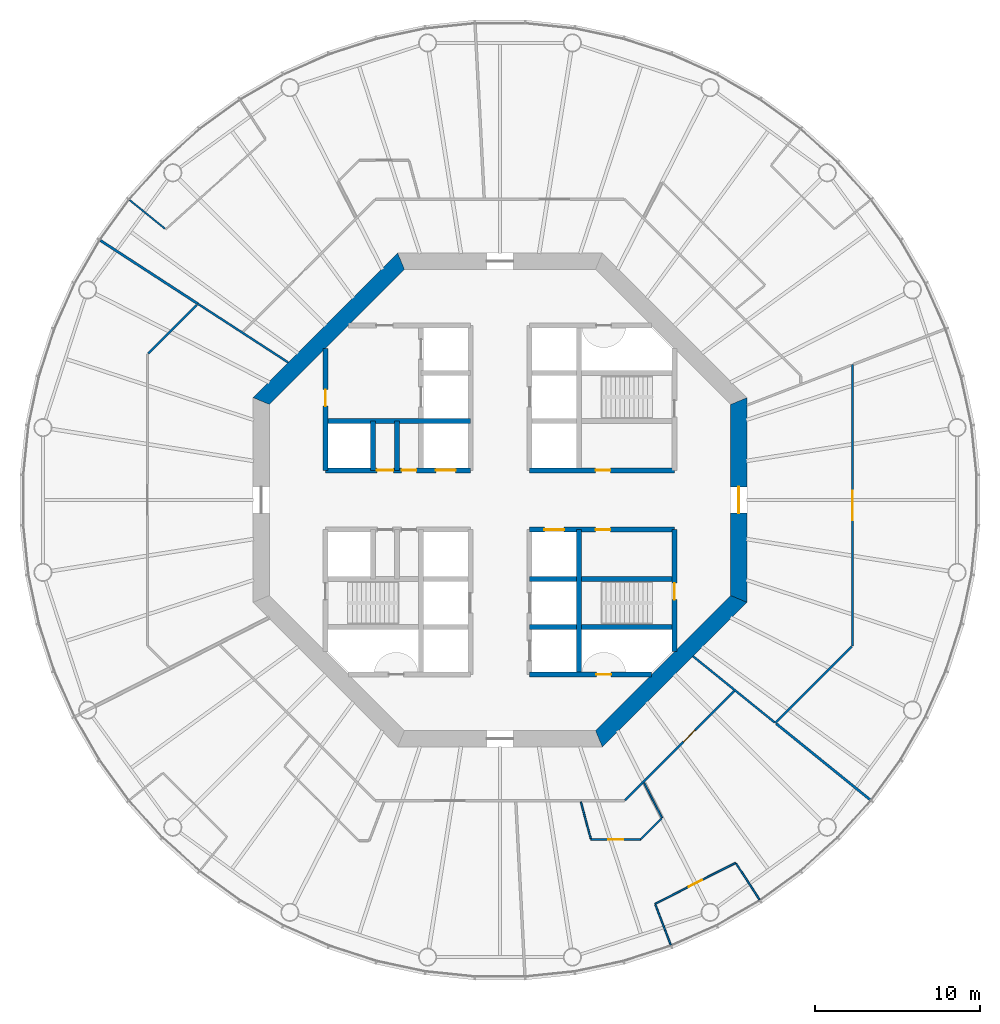
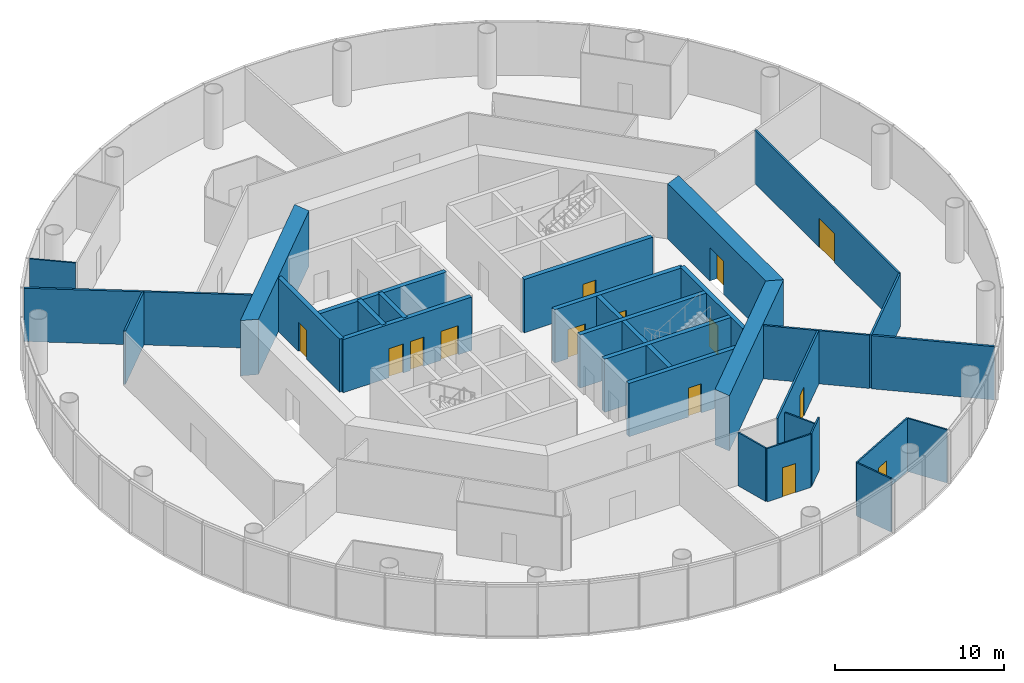
# One storey, part 4 of 13: 31 walls, 14 doors, 14 openings.
"""IFC4 building model written with IfcOpenShell, lengths in metres."""

from ifc_helpers import new_model, si_unit, direction, frame, frame_2d, origin, place, context, subcontext, project, spatial, polyline, rectangle, outline, extrude, material, layer, layer_set, type_object, element, fill, save


model = new_model("IFC4")

# Units and contexts
model_context = context("Model", 3, precision=1e-05, world=origin(), true_north=direction((0.0, 1.0)))
body_context = subcontext(model_context, "Body", "Model", "MODEL_VIEW")
ifc_project = project(units=[si_unit("LENGTHUNIT", "METRE"), si_unit("AREAUNIT", "SQUARE_METRE"), si_unit("VOLUMEUNIT", "CUBIC_METRE"), si_unit("PLANEANGLEUNIT", "RADIAN"), si_unit("MASSUNIT", "GRAM", prefix="KILO")], contexts=[model_context])

# Site, building, storey
site_placement = place(None, origin())
site = spatial("IfcSite", under=ifc_project, at=site_placement, CompositionType="ELEMENT")
building_placement = place(site_placement, origin())
building = spatial("IfcBuilding", under=site, at=building_placement, Name="Entoto Ring Tower", CompositionType="ELEMENT")
storey_placement = place(building_placement, frame((0.0, 0.0, 188.0)))
storey = spatial("IfcBuildingStorey", under=building, at=storey_placement, Name="L43", CompositionType="ELEMENT", Elevation=188.0)

# Wall, opening, door
ifc_material_1 = material(Name="Concrete C40/50", Category="concrete")
ifc_layer_1 = layer(ifc_material_1, 0.300048828125)
ifc_layer_set_1 = layer_set([ifc_layer_1], Name="Concrete C40/50")
wall_type_1 = type_object("IfcWallType", Name="Core enclosure wall 300 mm reinforced concrete", PredefinedType="SOLIDWALL", material=ifc_layer_set_1)
wall_1_placement = place(storey_placement, frame((100.60009765625, 70.801025390625, 0.0), z_axis=(0.0, 0.0, 1.0), x_axis=(0.0, 1.0, 0.0)))
wall_1 = element("IfcWall", 1, at=wall_1_placement, inside=storey, type_object=wall_type_1, Name="wall-L43-001", PredefinedType="SOLIDWALL", context=body_context, shape_type="SweptSolid", body=[
    extrude(rectangle(XDim=7.39892578125, YDim=0.300048828125, at=frame_2d((3.699462890625, 0.0))), origin(), (0.0, 0.0, 1.0), 3.85009765625),
])
opening_1_placement = place(wall_1_placement, frame((3.14892578125, 0.0, 0.0)))
opening_1 = element("IfcOpeningElement", 2, at=opening_1_placement, cuts=wall_1, Name="Opening K-61", PredefinedType="OPENING", context=body_context, shape_type="SweptSolid", body=[
    extrude(rectangle(XDim=1.0, YDim=2.10009765625, at=frame_2d((0.5, 1.050048828125))), frame((0.0, 0.16015625, 0.0), z_axis=(0.0, -1.0, 0.0), x_axis=(1.0, 0.0, 0.0)), (0.0, 0.0, 1.0), 0.320068359375),
])
ifc_material_2 = material(Name="Steel door leaf, fire rated", Category="steel")
ifc_layer_2 = layer(ifc_material_2, 0.050048828125)
ifc_layer_set_2 = layer_set([ifc_layer_2], Name="Steel door leaf, fire rated")
door_type_1 = type_object("IfcDoorType", Name="Fire door FD60 1000 x 2100 single leaf", OperationType="NOTDEFINED", PredefinedType="DOOR", material=ifc_layer_set_2)
door_1_placement = place(opening_1_placement, origin())
door_1 = element("IfcDoor", 3, at=door_1_placement, inside=storey, type_object=door_type_1, Name="Door K-61", OperationType="SINGLE_SWING_RIGHT", OverallHeight=2.10009765625, OverallWidth=1.0, PredefinedType="DOOR", context=body_context, shape_type="SweptSolid", body=[
    extrude(rectangle(XDim=1.0, YDim=2.10009765625, at=frame_2d((0.5, 1.050048828125))), frame((0.0, 0.02490234375, 0.0), z_axis=(0.0, -1.0, 0.0), x_axis=(1.0, 0.0, 0.0)), (0.0, 0.0, 1.0), 0.050048828125),
])
fill(opening_1, door_1)

# Walls
wall_2_placement = place(storey_placement, frame((94.800048828125, 69.39990234375, 0.0), z_axis=(0.0, 0.0, 1.0), x_axis=(0.0, 1.0, 0.0)))
element("IfcWall", 4, at=wall_2_placement, inside=storey, type_object=wall_type_1, Name="wall-L43-003", PredefinedType="SOLIDWALL", context=body_context, shape_type="SweptSolid", body=[
    extrude(rectangle(XDim=8.800048828125, YDim=0.300048828125, at=frame_2d((4.39990234375, 0.0))), origin(), (0.0, 0.0, 1.0), 3.85009765625),
])
for number, where, z_axis, x_axis, name in (
    (5, (83.75, 81.800048828125, 0.0), (0.0, 0.0, 1.0), (0.0, 1.0, 0.0), "wall-L43-012"),
    (6, (82.300048828125, 81.800048828125, 0.0), (0.0, 0.0, 1.0), (0.0, 1.0, 0.0), "wall-L43-014"),
):
    element("IfcWall", number, at=place(storey_placement, frame(where, z_axis=z_axis, x_axis=x_axis)), inside=storey, type_object=wall_type_1, Name=name, PredefinedType="SOLIDWALL", context=body_context, shape_type="SweptSolid", body=[
        extrude(rectangle(XDim=3.0, YDim=0.300048828125, at=frame_2d((1.5, 0.0))), origin(), (0.0, 0.0, 1.0), 3.85009765625),
    ])

# Wall, opening, door
wall_3_placement = place(storey_placement, frame((79.39990234375, 81.800048828125, 0.0), z_axis=(0.0, 0.0, 1.0), x_axis=(0.0, 1.0, 0.0)))
wall_3 = element("IfcWall", 7, at=wall_3_placement, inside=storey, type_object=wall_type_1, Name="wall-L43-016", PredefinedType="SOLIDWALL", context=body_context, shape_type="SweptSolid", body=[
    extrude(rectangle(XDim=7.39892578125, YDim=0.300048828125, at=frame_2d((3.699462890625, 0.0))), origin(), (0.0, 0.0, 1.0), 3.85009765625),
])
opening_2_placement = place(wall_3_placement, frame((3.89990234375, 0.0, 0.0)))
opening_2 = element("IfcOpeningElement", 8, at=opening_2_placement, cuts=wall_3, Name="Opening K-23", PredefinedType="OPENING", context=body_context, shape_type="SweptSolid", body=[
    extrude(rectangle(XDim=1.0, YDim=2.10009765625, at=frame_2d((0.5, 1.050048828125))), frame((0.0, 0.16015625, 0.0), z_axis=(0.0, -1.0, 0.0), x_axis=(1.0, 0.0, 0.0)), (0.0, 0.0, 1.0), 0.320068359375),
])
door_2_placement = place(opening_2_placement, frame((1.0, 0.0, 0.0), z_axis=(0.0, 0.0, 1.0), x_axis=(-1.0, 0.0, 0.0)))
door_2 = element("IfcDoor", 9, at=door_2_placement, inside=storey, type_object=door_type_1, Name="Door K-23", OperationType="SINGLE_SWING_RIGHT", OverallHeight=2.10009765625, OverallWidth=1.0, PredefinedType="DOOR", context=body_context, shape_type="SweptSolid", body=[
    extrude(rectangle(XDim=1.0, YDim=2.10009765625, at=frame_2d((0.5, 1.050048828125))), frame((0.0, 0.02490234375, 0.0), z_axis=(0.0, -1.0, 0.0), x_axis=(1.0, 0.0, 0.0)), (0.0, 0.0, 1.0), 0.050048828125),
])
fill(opening_2, door_2)

wall_4_placement = place(storey_placement, frame((91.800048828125, 69.39990234375, 0.0), z_axis=(0.0, 0.0, 1.0), x_axis=(1.0, 0.0, 0.0)))
wall_4 = element("IfcWall", 10, at=wall_4_placement, inside=storey, type_object=wall_type_1, Name="wall-L43-018", PredefinedType="SOLIDWALL", context=body_context, shape_type="SweptSolid", body=[
    extrude(rectangle(XDim=7.39892578125, YDim=0.300048828125, at=frame_2d((3.699462890625, 0.0))), origin(), (0.0, 0.0, 1.0), 3.85009765625),
])
opening_3_placement = place(wall_4_placement, frame((4.050048828125, 0.0, 0.0)))
opening_3 = element("IfcOpeningElement", 11, at=opening_3_placement, cuts=wall_4, Name="Opening K-68", PredefinedType="OPENING", context=body_context, shape_type="SweptSolid", body=[
    extrude(rectangle(XDim=0.89990234375, YDim=2.10009765625, at=frame_2d((0.449951171875, 1.050048828125))), frame((0.0, 0.16015625, 0.0), z_axis=(0.0, -1.0, 0.0), x_axis=(1.0, 0.0, 0.0)), (0.0, 0.0, 1.0), 0.320068359375),
])
ifc_material_3 = material(Name="Steel door leaf, fire rated", Category="steel")
ifc_layer_3 = layer(ifc_material_3, 0.050048828125)
ifc_layer_set_3 = layer_set([ifc_layer_3], Name="Steel door leaf, fire rated")
door_type_2 = type_object("IfcDoorType", Name="Riser door FD60 900 x 2100 single leaf", OperationType="NOTDEFINED", PredefinedType="DOOR", material=ifc_layer_set_3)
door_3_placement = place(opening_3_placement, origin())
door_3 = element("IfcDoor", 12, at=door_3_placement, inside=storey, type_object=door_type_2, Name="Door K-68", OperationType="SINGLE_SWING_LEFT", OverallHeight=2.10009765625, OverallWidth=0.89990234375, PredefinedType="DOOR", context=body_context, shape_type="SweptSolid", body=[
    extrude(rectangle(XDim=0.89990234375, YDim=2.10009765625, at=frame_2d((0.449951171875, 1.050048828125))), frame((0.0, 0.02490234375, 0.0), z_axis=(0.0, -1.0, 0.0), x_axis=(1.0, 0.0, 0.0)), (0.0, 0.0, 1.0), 0.050048828125),
])
fill(opening_3, door_3)

# Walls
for number, where, z_axis, x_axis, name in (
    (13, (91.800048828125, 72.300048828125, 0.0), (0.0, 0.0, 1.0), (1.0, 0.0, 0.0), "wall-L43-020"),
    (14, (91.800048828125, 75.199951171875, 0.0), (0.0, 0.0, 1.0), (1.0, 0.0, 0.0), "wall-L43-022"),
):
    element("IfcWall", number, at=place(storey_placement, frame(where, z_axis=z_axis, x_axis=x_axis)), inside=storey, type_object=wall_type_1, Name=name, PredefinedType="SOLIDWALL", context=body_context, shape_type="SweptSolid", body=[
        extrude(rectangle(XDim=8.800048828125, YDim=0.300048828125, at=frame_2d((4.39990234375, 0.0))), origin(), (0.0, 0.0, 1.0), 3.85009765625),
    ])

# Wall, openings, doors
wall_5_placement = place(storey_placement, frame((91.800048828125, 78.199951171875, 0.0), z_axis=(0.0, 0.0, 1.0), x_axis=(1.0, 0.0, 0.0)))
wall_5 = element("IfcWall", 15, at=wall_5_placement, inside=storey, type_object=wall_type_1, Name="wall-L43-024", PredefinedType="SOLIDWALL", context=body_context, shape_type="SweptSolid", body=[
    extrude(rectangle(XDim=8.800048828125, YDim=0.300048828125, at=frame_2d((4.39990234375, 0.0))), origin(), (0.0, 0.0, 1.0), 3.85009765625),
])
opening_4_placement = place(wall_5_placement, frame((0.89990234375, 0.0, 0.0)))
opening_4 = element("IfcOpeningElement", 16, at=opening_4_placement, cuts=wall_5, Name="Opening LD", PredefinedType="OPENING", context=body_context, shape_type="SweptSolid", body=[
    extrude(rectangle(XDim=1.199951171875, YDim=2.10009765625, at=frame_2d((0.60009765625, 1.050048828125))), frame((0.0, 0.16015625, 0.0), z_axis=(0.0, -1.0, 0.0), x_axis=(1.0, 0.0, 0.0)), (0.0, 0.0, 1.0), 0.320068359375),
])
opening_5_placement = place(wall_5_placement, frame((4.0, 0.0, 0.0)))
opening_5 = element("IfcOpeningElement", 17, at=opening_5_placement, cuts=wall_5, Name="Opening K-12", PredefinedType="OPENING", context=body_context, shape_type="SweptSolid", body=[
    extrude(rectangle(XDim=0.89990234375, YDim=2.10009765625, at=frame_2d((0.449951171875, 1.050048828125))), frame((0.0, 0.16015625, 0.0), z_axis=(0.0, -1.0, 0.0), x_axis=(1.0, 0.0, 0.0)), (0.0, 0.0, 1.0), 0.320068359375),
])
ifc_material_4 = material(Name="Steel door leaf, fire rated", Category="steel")
ifc_layer_4 = layer(ifc_material_4, 0.050048828125)
ifc_layer_set_4 = layer_set([ifc_layer_4], Name="Steel door leaf, fire rated")
door_type_3 = type_object("IfcDoorType", Name="Core door 900 x 2100 single leaf", OperationType="NOTDEFINED", PredefinedType="DOOR", material=ifc_layer_set_4)
door_4_placement = place(opening_5_placement, frame((0.89990234375, 0.0, 0.0), z_axis=(0.0, 0.0, 1.0), x_axis=(-1.0, 0.0, 0.0)))
door_4 = element("IfcDoor", 18, at=door_4_placement, inside=storey, type_object=door_type_3, Name="Door K-12", OperationType="SINGLE_SWING_RIGHT", OverallHeight=2.10009765625, OverallWidth=0.89990234375, PredefinedType="DOOR", context=body_context, shape_type="SweptSolid", body=[
    extrude(rectangle(XDim=0.89990234375, YDim=2.10009765625, at=frame_2d((0.449951171875, 1.050048828125))), frame((0.0, 0.02490234375, 0.0), z_axis=(0.0, -1.0, 0.0), x_axis=(1.0, 0.0, 0.0)), (0.0, 0.0, 1.0), 0.050048828125),
])
fill(opening_5, door_4)
ifc_material_5 = material(Name="Steel and glass door leaf", Category="steel")
ifc_layer_5 = layer(ifc_material_5, 0.050048828125)
ifc_layer_set_5 = layer_set([ifc_layer_5], Name="Steel and glass door leaf")
door_type_4 = type_object("IfcDoorType", Name="Landing door 1200 x 2100 sliding", OperationType="DOUBLE_DOOR_SLIDING", PredefinedType="DOOR", material=ifc_layer_set_5)
door_5_placement = place(opening_4_placement, origin())
door_5 = element("IfcDoor", 19, at=door_5_placement, inside=storey, type_object=door_type_4, Name="Landing door LB6-MR", OperationType="SLIDING_TO_LEFT", OverallHeight=2.10009765625, OverallWidth=1.199951171875, PredefinedType="DOOR", context=body_context, shape_type="SweptSolid", body=[
    extrude(rectangle(XDim=1.199951171875, YDim=2.10009765625, at=frame_2d((0.60009765625, 1.050048828125))), frame((0.0, 0.02490234375, 0.0), z_axis=(0.0, -1.0, 0.0), x_axis=(1.0, 0.0, 0.0)), (0.0, 0.0, 1.0), 0.050048828125),
])
fill(opening_4, door_5)

wall_6_placement = place(storey_placement, frame((79.39990234375, 81.800048828125, 0.0), z_axis=(0.0, 0.0, 1.0), x_axis=(1.0, 0.0, 0.0)))
wall_6 = element("IfcWall", 20, at=wall_6_placement, inside=storey, type_object=wall_type_1, Name="wall-L43-025", PredefinedType="SOLIDWALL", context=body_context, shape_type="SweptSolid", body=[
    extrude(rectangle(XDim=8.800048828125, YDim=0.300048828125, at=frame_2d((4.39990234375, 0.0))), origin(), (0.0, 0.0, 1.0), 3.85009765625),
])
opening_6_placement = place(wall_6_placement, frame((6.699951171875, 0.0, 0.0)))
opening_6 = element("IfcOpeningElement", 21, at=opening_6_placement, cuts=wall_6, Name="Opening LD", PredefinedType="OPENING", context=body_context, shape_type="SweptSolid", body=[
    extrude(rectangle(XDim=1.199951171875, YDim=2.10009765625, at=frame_2d((0.60009765625, 1.050048828125))), frame((0.0, 0.16015625, 0.0), z_axis=(0.0, -1.0, 0.0), x_axis=(1.0, 0.0, 0.0)), (0.0, 0.0, 1.0), 0.320068359375),
])
opening_7_placement = place(wall_6_placement, frame((3.125, 0.0, 0.0)))
opening_7 = element("IfcOpeningElement", 22, at=opening_7_placement, cuts=wall_6, Name="Opening K-13", PredefinedType="OPENING", context=body_context, shape_type="SweptSolid", body=[
    extrude(rectangle(XDim=1.0, YDim=2.10009765625, at=frame_2d((0.5, 1.050048828125))), frame((0.0, 0.16015625, 0.0), z_axis=(0.0, -1.0, 0.0), x_axis=(1.0, 0.0, 0.0)), (0.0, 0.0, 1.0), 0.320068359375),
])
opening_8_placement = place(wall_6_placement, frame((4.625, 0.0, 0.0)))
opening_8 = element("IfcOpeningElement", 23, at=opening_8_placement, cuts=wall_6, Name="Opening K-14", PredefinedType="OPENING", context=body_context, shape_type="SweptSolid", body=[
    extrude(rectangle(XDim=0.89990234375, YDim=2.10009765625, at=frame_2d((0.449951171875, 1.050048828125))), frame((0.0, 0.16015625, 0.0), z_axis=(0.0, -1.0, 0.0), x_axis=(1.0, 0.0, 0.0)), (0.0, 0.0, 1.0), 0.320068359375),
])
ifc_material_6 = material(Name="Steel door leaf, fire rated", Category="steel")
ifc_layer_6 = layer(ifc_material_6, 0.050048828125)
ifc_layer_set_6 = layer_set([ifc_layer_6], Name="Steel door leaf, fire rated")
door_type_5 = type_object("IfcDoorType", Name="Accessible door 1000 x 2100 single leaf", OperationType="NOTDEFINED", PredefinedType="DOOR", material=ifc_layer_set_6)
door_6_placement = place(opening_7_placement, origin())
door_6 = element("IfcDoor", 24, at=door_6_placement, inside=storey, type_object=door_type_5, Name="Door K-13", OperationType="SINGLE_SWING_RIGHT", OverallHeight=2.10009765625, OverallWidth=1.0, PredefinedType="DOOR", context=body_context, shape_type="SweptSolid", body=[
    extrude(rectangle(XDim=1.0, YDim=2.10009765625, at=frame_2d((0.5, 1.050048828125))), frame((0.0, 0.02490234375, 0.0), z_axis=(0.0, -1.0, 0.0), x_axis=(1.0, 0.0, 0.0)), (0.0, 0.0, 1.0), 0.050048828125),
])
fill(opening_7, door_6)
door_7_placement = place(opening_8_placement, origin())
door_7 = element("IfcDoor", 25, at=door_7_placement, inside=storey, type_object=door_type_3, Name="Door K-14", OperationType="SINGLE_SWING_RIGHT", OverallHeight=2.10009765625, OverallWidth=0.89990234375, PredefinedType="DOOR", context=body_context, shape_type="SweptSolid", body=[
    extrude(rectangle(XDim=0.89990234375, YDim=2.10009765625, at=frame_2d((0.449951171875, 1.050048828125))), frame((0.0, 0.02490234375, 0.0), z_axis=(0.0, -1.0, 0.0), x_axis=(1.0, 0.0, 0.0)), (0.0, 0.0, 1.0), 0.050048828125),
])
fill(opening_8, door_7)
door_8_placement = place(opening_6_placement, origin())
door_8 = element("IfcDoor", 26, at=door_8_placement, inside=storey, type_object=door_type_4, Name="Landing door LB5-MR", OperationType="SLIDING_TO_LEFT", OverallHeight=2.10009765625, OverallWidth=1.199951171875, PredefinedType="DOOR", context=body_context, shape_type="SweptSolid", body=[
    extrude(rectangle(XDim=1.199951171875, YDim=2.10009765625, at=frame_2d((0.60009765625, 1.050048828125))), frame((0.0, 0.02490234375, 0.0), z_axis=(0.0, -1.0, 0.0), x_axis=(1.0, 0.0, 0.0)), (0.0, 0.0, 1.0), 0.050048828125),
])
fill(opening_6, door_8)

# Wall, opening, door
wall_7_placement = place(storey_placement, frame((91.800048828125, 81.800048828125, 0.0), z_axis=(0.0, 0.0, 1.0), x_axis=(1.0, 0.0, 0.0)))
wall_7 = element("IfcWall", 27, at=wall_7_placement, inside=storey, type_object=wall_type_1, Name="wall-L43-026", PredefinedType="SOLIDWALL", context=body_context, shape_type="SweptSolid", body=[
    extrude(rectangle(XDim=8.800048828125, YDim=0.300048828125, at=frame_2d((4.39990234375, 0.0))), origin(), (0.0, 0.0, 1.0), 3.85009765625),
])
opening_9_placement = place(wall_7_placement, frame((4.0, 0.0, 0.0)))
opening_9 = element("IfcOpeningElement", 28, at=opening_9_placement, cuts=wall_7, Name="Opening K-11", PredefinedType="OPENING", context=body_context, shape_type="SweptSolid", body=[
    extrude(rectangle(XDim=0.89990234375, YDim=2.10009765625, at=frame_2d((0.449951171875, 1.050048828125))), frame((0.0, 0.16015625, 0.0), z_axis=(0.0, -1.0, 0.0), x_axis=(1.0, 0.0, 0.0)), (0.0, 0.0, 1.0), 0.320068359375),
])
door_9_placement = place(opening_9_placement, origin())
door_9 = element("IfcDoor", 29, at=door_9_placement, inside=storey, type_object=door_type_3, Name="Door K-11", OperationType="SINGLE_SWING_LEFT", OverallHeight=2.10009765625, OverallWidth=0.89990234375, PredefinedType="DOOR", context=body_context, shape_type="SweptSolid", body=[
    extrude(rectangle(XDim=0.89990234375, YDim=2.10009765625, at=frame_2d((0.449951171875, 1.050048828125))), frame((0.0, 0.02490234375, 0.0), z_axis=(0.0, -1.0, 0.0), x_axis=(1.0, 0.0, 0.0)), (0.0, 0.0, 1.0), 0.050048828125),
])
fill(opening_9, door_9)

# Wall
wall_8_placement = place(storey_placement, frame((79.39990234375, 84.800048828125, 0.0), z_axis=(0.0, 0.0, 1.0), x_axis=(1.0, 0.0, 0.0)))
element("IfcWall", 30, at=wall_8_placement, inside=storey, type_object=wall_type_1, Name="wall-L43-027", PredefinedType="SOLIDWALL", context=body_context, shape_type="SweptSolid", body=[
    extrude(rectangle(XDim=8.800048828125, YDim=0.300048828125, at=frame_2d((4.39990234375, 0.0))), origin(), (0.0, 0.0, 1.0), 3.85009765625),
])

# Wall, opening, door
ifc_material_7 = material(Name="Concrete C50/60", Category="concrete")
ifc_layer_7 = layer(ifc_material_7, 1.0)
ifc_layer_set_7 = layer_set([ifc_layer_7], Name="Concrete C50/60")
wall_type_2 = type_object("IfcWallType", Name="Core shear wall 1000 mm reinforced concrete C50/60", PredefinedType="SHEAR", material=ifc_layer_set_7)
wall_9_placement = place(storey_placement, frame((104.5, 73.993896484375, 0.0), z_axis=(0.0, 0.0, 1.0), x_axis=(0.0, 1.0, 0.0)))
wall_9 = element("IfcWall", 31, at=wall_9_placement, inside=storey, type_object=wall_type_2, Name="wall-L43-core-0", PredefinedType="SHEAR", context=body_context, shape_type="SweptSolid", body=[
    extrude(outline(polyline([(-0.20703125, -0.5), (12.21923828125, -0.5), (11.80517578125, 0.5), (0.20703125, 0.5), (-0.20703125, -0.5)])), origin(), (0.0, 0.0, 1.0), 4.0),
])
opening_10_placement = place(wall_9_placement, frame((5.2060546875, 0.0, 0.0)))
opening_10 = element("IfcOpeningElement", 32, at=opening_10_placement, cuts=wall_9, Name="Opening K-01", PredefinedType="OPENING", context=body_context, shape_type="SweptSolid", body=[
    extrude(rectangle(XDim=1.60009765625, YDim=2.39990234375, at=frame_2d((0.800048828125, 1.199951171875))), frame((0.0, 0.510009765625, 0.0), z_axis=(0.0, -1.0, 0.0), x_axis=(1.0, 0.0, 0.0)), (0.0, 0.0, 1.0), 1.02001953125),
])
ifc_material_8 = material(Name="Steel door leaf, fire rated", Category="steel")
ifc_layer_8 = layer(ifc_material_8, 0.050048828125)
ifc_layer_set_8 = layer_set([ifc_layer_8], Name="Steel door leaf, fire rated")
door_type_6 = type_object("IfcDoorType", Name="Entrance door FD60 1600 x 2400 double leaf", OperationType="DOUBLE_DOOR_SINGLE_SWING", PredefinedType="DOOR", material=ifc_layer_set_8)
door_10_placement = place(opening_10_placement, origin())
door_10 = element("IfcDoor", 33, at=door_10_placement, inside=storey, type_object=door_type_6, Name="Entrance door K-01", OperationType="DOUBLE_DOOR_SINGLE_SWING", OverallHeight=2.39990234375, OverallWidth=1.60009765625, PredefinedType="DOOR", context=body_context, shape_type="SweptSolid", body=[
    extrude(rectangle(XDim=1.60009765625, YDim=2.39990234375, at=frame_2d((0.800048828125, 1.199951171875))), frame((0.0, 0.02490234375, 0.0), z_axis=(0.0, -1.0, 0.0), x_axis=(1.0, 0.0, 0.0)), (0.0, 0.0, 1.0), 0.050048828125),
])
fill(opening_10, door_10)

# Walls
for number, where, z_axis, x_axis, name in (
    (34, (83.993896484375, 94.5, 0.0), (0.0, 0.0, 1.0), (-0.707106781187, -0.707106781187, 0.0), "wall-L43-core-3"),
    (35, (96.006103515625, 65.5, 0.0), (0.0, 0.0, 1.0), (0.707106781187, 0.707106781187, 0.0), "wall-L43-core-7"),
):
    element("IfcWall", number, at=place(storey_placement, frame(where, z_axis=z_axis, x_axis=x_axis)), inside=storey, type_object=wall_type_2, Name=name, PredefinedType="SHEAR", context=body_context, shape_type="SweptSolid", body=[
        extrude(outline(polyline([(-0.20703125, -0.5), (12.21923828125, -0.5), (11.80517578125, 0.5), (0.20703125, 0.5), (-0.20703125, -0.5)])), origin(), (0.0, 0.0, 1.0), 4.0),
    ])

# Wall, opening, door
ifc_material_9 = material(Name="Fire-resisting plasterboard on steel studs", Category="steel")
ifc_layer_9 = layer(ifc_material_9, 0.125)
ifc_layer_set_9 = layer_set([ifc_layer_9], Name="Fire-resisting plasterboard on steel studs")
wall_type_3 = type_object("IfcWallType", Name="Corridor wall 125 mm one-hour plasterboard on steel studs", PredefinedType="PARTITIONING", material=ifc_layer_set_9)
wall_10_placement = place(storey_placement, frame((111.39990234375, 71.1357421875, 0.0), z_axis=(0.0, 0.0, 1.0), x_axis=(0.0, 1.0, 0.0)))
wall_10 = element("IfcWall", 36, at=wall_10_placement, inside=storey, type_object=wall_type_3, Name="partition-L43-002", PredefinedType="PARTITIONING", context=body_context, shape_type="SweptSolid", body=[
    extrude(rectangle(XDim=17.078857421875, YDim=0.125, at=frame_2d((8.53955078125, 0.0))), origin(), (0.0, 0.0, 1.0), 3.85009765625),
])
opening_11_placement = place(wall_10_placement, frame((7.639404296875, 0.0, 0.0)))
opening_11 = element("IfcOpeningElement", 37, at=opening_11_placement, cuts=wall_10, Name="Opening A18-D01", PredefinedType="OPENING", context=body_context, shape_type="SweptSolid", body=[
    extrude(rectangle(XDim=1.800048828125, YDim=2.10009765625, at=frame_2d((0.89990234375, 1.050048828125))), frame((0.0, 0.072509765625, 0.0), z_axis=(0.0, -1.0, 0.0), x_axis=(1.0, 0.0, 0.0)), (0.0, 0.0, 1.0), 0.14501953125),
])
ifc_material_10 = material(Name="Fire-resisting timber door set", Category="wood")
door_type_7 = type_object("IfcDoorType", Name="Door 1800 x 2100 double leaf FD30S fire door", OperationType="DOUBLE_DOOR_SINGLE_SWING", PredefinedType="DOOR", material=ifc_material_10)
door_11_placement = place(opening_11_placement, frame((1.800048828125, 0.0, 0.0), z_axis=(0.0, 0.0, 1.0), x_axis=(-1.0, 0.0, 0.0)))
door_11 = element("IfcDoor", 38, at=door_11_placement, inside=storey, type_object=door_type_7, Name="Door A18-D01", OperationType="DOUBLE_DOOR_SINGLE_SWING", OverallHeight=2.10009765625, OverallWidth=1.800048828125, PredefinedType="DOOR", context=body_context, shape_type="SweptSolid", body=[
    extrude(rectangle(XDim=1.800048828125, YDim=2.10009765625, at=frame_2d((0.89990234375, 1.050048828125))), frame((0.0, 0.02490234375, 0.0), z_axis=(0.0, -1.0, 0.0), x_axis=(1.0, 0.0, 0.0)), (0.0, 0.0, 1.0), 0.050048828125),
])
fill(opening_11, door_11)

wall_11_placement = place(storey_placement, frame((97.595703125, 61.7685546875, 0.0), z_axis=(0.0, 0.0, 1.0), x_axis=(0.707093754284, 0.707119807849, 0.0)))
wall_11 = element("IfcWall", 39, at=wall_11_placement, inside=storey, type_object=wall_type_3, Name="partition-L43-008", PredefinedType="PARTITIONING", context=body_context, shape_type="SweptSolid", body=[
    extrude(rectangle(XDim=9.37060546875, YDim=0.125, at=frame_2d((4.685302734375, 0.0))), origin(), (0.0, 0.0, 1.0), 3.85009765625),
])
opening_12_placement = place(wall_11_placement, frame((5.013427734375, 0.0, 0.0)))
opening_12 = element("IfcOpeningElement", 40, at=opening_12_placement, cuts=wall_11, Name="Opening A18-D12", PredefinedType="OPENING", context=body_context, shape_type="SweptSolid", body=[
    extrude(rectangle(XDim=1.0, YDim=2.10009765625, at=frame_2d((0.5, 1.050048828125))), frame((0.0, 0.072509765625, 0.0), z_axis=(0.0, -1.0, 0.0), x_axis=(1.0, 0.0, 0.0)), (0.0, 0.0, 1.0), 0.14501953125),
])
ifc_material_11 = material(Name="Fire-resisting timber door set", Category="wood")
door_type_8 = type_object("IfcDoorType", Name="Door 1000 x 2100 single leaf FD30S fire door", OperationType="NOTDEFINED", PredefinedType="DOOR", material=ifc_material_11)
door_12_placement = place(opening_12_placement, frame((1.0, 0.0, 0.0), z_axis=(0.0, 0.0, 1.0), x_axis=(-1.0, 0.0, 0.0)))
door_12 = element("IfcDoor", 41, at=door_12_placement, inside=storey, type_object=door_type_8, Name="Door A18-D12", OperationType="SINGLE_SWING_LEFT", OverallHeight=2.10009765625, OverallWidth=1.0, PredefinedType="DOOR", context=body_context, shape_type="SweptSolid", body=[
    extrude(rectangle(XDim=1.0, YDim=2.10009765625, at=frame_2d((0.5, 1.050048828125))), frame((0.0, 0.02490234375, 0.0), z_axis=(0.0, -1.0, 0.0), x_axis=(1.0, 0.0, 0.0)), (0.0, 0.0, 1.0), 0.050048828125),
])
fill(opening_12, door_12)

# Walls
wall_12_placement = place(storey_placement, frame((106.722412109375, 66.45849609375, 0.0), z_axis=(0.0, 0.0, 1.0), x_axis=(0.707125358217, 0.707088203668, 0.0)))
element("IfcWall", 42, at=wall_12_placement, inside=storey, type_object=wall_type_3, Name="partition-L43-011", PredefinedType="PARTITIONING", context=body_context, shape_type="SweptSolid", body=[
    extrude(rectangle(XDim=6.571044921875, YDim=0.125, at=frame_2d((3.28564453125, 0.0))), origin(), (0.0, 0.0, 1.0), 3.85009765625),
])
wall_13_placement = place(storey_placement, frame((77.138916015625, 88.35205078125, 0.0), z_axis=(0.0, 0.0, 1.0), x_axis=(-0.838654973698, 0.544663047298, 0.0)))
element("IfcWall", 43, at=wall_13_placement, inside=storey, type_object=wall_type_3, Name="partition-L43-012", PredefinedType="PARTITIONING", context=body_context, shape_type="SweptSolid", body=[
    extrude(rectangle(XDim=6.54296875, YDim=0.125, at=frame_2d((3.271484375, 0.0))), origin(), (0.0, 0.0, 1.0), 3.85009765625),
])
wall_14_placement = place(storey_placement, frame((106.67431640625, 66.49755859375, 0.0), z_axis=(0.0, 0.0, 1.0), x_axis=(-0.777147622925, 0.629318339302, 0.0)))
element("IfcWall", 44, at=wall_14_placement, inside=storey, type_object=wall_type_3, Name="partition-L43-013", PredefinedType="PARTITIONING", context=body_context, shape_type="SweptSolid", body=[
    extrude(rectangle(XDim=6.373046875, YDim=0.125, at=frame_2d((3.1865234375, 0.0))), origin(), (0.0, 0.0, 1.0), 3.85009765625),
])
wall_15_placement = place(storey_placement, frame((68.631103515625, 88.895263671875, 0.0), z_axis=(0.0, 0.0, 1.0), x_axis=(0.707106781187, 0.707106781187, 0.0)))
element("IfcWall", 45, at=wall_15_placement, inside=storey, type_object=wall_type_3, Name="partition-L43-014", PredefinedType="PARTITIONING", context=body_context, shape_type="SweptSolid", body=[
    extrude(rectangle(XDim=4.181640625, YDim=0.125, at=frame_2d((2.0908203125, 0.0))), origin(), (0.0, 0.0, 1.0), 3.85009765625),
])

# Wall, opening, door
ifc_material_12 = material(Name="Plasterboard on steel studs", Category="steel")
ifc_layer_10 = layer(ifc_material_12, 0.10009765625)
ifc_layer_set_10 = layer_set([ifc_layer_10], Name="Plasterboard on steel studs")
wall_type_4 = type_object("IfcWallType", Name="Partition 100 mm plasterboard on steel studs", PredefinedType="PARTITIONING", material=ifc_layer_set_10)
wall_16_placement = place(storey_placement, frame((99.414306640625, 55.474853515625, 0.0), z_axis=(0.0, 0.0, 1.0), x_axis=(0.891014051246, 0.453975726754, 0.0)))
wall_16 = element("IfcWall", 46, at=wall_16_placement, inside=storey, type_object=wall_type_4, Name="partition-L43-027", PredefinedType="PARTITIONING", context=body_context, shape_type="SweptSolid", body=[
    extrude(rectangle(XDim=5.491943359375, YDim=0.10009765625, at=frame_2d((2.74609375, 0.0))), origin(), (0.0, 0.0, 1.0), 3.85009765625),
])
opening_13_placement = place(wall_16_placement, frame((2.2958984375, 0.0, 0.0)))
opening_13 = element("IfcOpeningElement", 47, at=opening_13_placement, cuts=wall_16, Name="Opening A18-D14", PredefinedType="OPENING", context=body_context, shape_type="SweptSolid", body=[
    extrude(rectangle(XDim=0.89990234375, YDim=2.10009765625, at=frame_2d((0.449951171875, 1.050048828125))), frame((0.0, 0.06005859375, 0.0), z_axis=(0.0, -1.0, 0.0), x_axis=(1.0, 0.0, 0.0)), (0.0, 0.0, 1.0), 0.1201171875),
])
ifc_material_13 = material(Name="Veneered timber door leaf in timber frame", Category="wood")
door_type_9 = type_object("IfcDoorType", Name="Door 900 x 2100 single leaf timber veneer", OperationType="NOTDEFINED", PredefinedType="DOOR", material=ifc_material_13)
door_13_placement = place(opening_13_placement, frame((0.89990234375, 0.0, 0.0), z_axis=(0.0, 0.0, 1.0), x_axis=(-1.0, 0.0, 0.0)))
door_13 = element("IfcDoor", 48, at=door_13_placement, inside=storey, type_object=door_type_9, Name="Door A18-D14", OperationType="SINGLE_SWING_LEFT", OverallHeight=2.10009765625, OverallWidth=0.89990234375, PredefinedType="DOOR", context=body_context, shape_type="SweptSolid", body=[
    extrude(rectangle(XDim=0.89990234375, YDim=2.10009765625, at=frame_2d((0.449951171875, 1.050048828125))), frame((0.0, 0.02490234375, 0.0), z_axis=(0.0, -1.0, 0.0), x_axis=(1.0, 0.0, 0.0)), (0.0, 0.0, 1.0), 0.050048828125),
])
fill(opening_13, door_13)

wall_17_placement = place(storey_placement, frame((95.523193359375, 59.387451171875, 0.0), z_axis=(0.0, 0.0, 1.0), x_axis=(1.0, 0.0, 0.0)))
wall_17 = element("IfcWall", 49, at=wall_17_placement, inside=storey, type_object=wall_type_4, Name="partition-L43-030", PredefinedType="PARTITIONING", context=body_context, shape_type="SweptSolid", body=[
    extrude(rectangle(XDim=3.014892578125, YDim=0.10009765625, at=frame_2d((1.50732421875, 0.0))), origin(), (0.0, 0.0, 1.0), 3.85009765625),
])
opening_14_placement = place(wall_17_placement, frame((1.057373046875, 0.0, 0.0)))
opening_14 = element("IfcOpeningElement", 50, at=opening_14_placement, cuts=wall_17, Name="Opening A18-D13", PredefinedType="OPENING", context=body_context, shape_type="SweptSolid", body=[
    extrude(rectangle(XDim=0.89990234375, YDim=2.10009765625, at=frame_2d((0.449951171875, 1.050048828125))), frame((0.0, 0.06005859375, 0.0), z_axis=(0.0, -1.0, 0.0), x_axis=(1.0, 0.0, 0.0)), (0.0, 0.0, 1.0), 0.1201171875),
])
door_14_placement = place(opening_14_placement, origin())
door_14 = element("IfcDoor", 51, at=door_14_placement, inside=storey, type_object=door_type_9, Name="Door A18-D13", OperationType="SINGLE_SWING_LEFT", OverallHeight=2.10009765625, OverallWidth=0.89990234375, PredefinedType="DOOR", context=body_context, shape_type="SweptSolid", body=[
    extrude(rectangle(XDim=0.89990234375, YDim=2.10009765625, at=frame_2d((0.449951171875, 1.050048828125))), frame((0.0, 0.02490234375, 0.0), z_axis=(0.0, -1.0, 0.0), x_axis=(1.0, 0.0, 0.0)), (0.0, 0.0, 1.0), 0.050048828125),
])
fill(opening_14, door_14)

# Walls
wall_18_placement = place(storey_placement, frame((69.66259765625, 96.468994140625, 0.0), z_axis=(0.0, 0.0, 1.0), x_axis=(-0.777166880901, 0.62929455681, 0.0)))
element("IfcWall", 52, at=wall_18_placement, inside=storey, type_object=wall_type_4, Name="partition-L43-032", PredefinedType="PARTITIONING", context=body_context, shape_type="SweptSolid", body=[
    extrude(rectangle(XDim=2.7705078125, YDim=0.10009765625, at=frame_2d((1.38525390625, 0.0))), origin(), (0.0, 0.0, 1.0), 3.85009765625),
])
for number, where, z_axis, x_axis, name in (
    (53, (100.37109375, 52.982177734375, 0.0), (0.0, 0.0, 1.0), (-0.358342155625, 0.933590327447, 0.0), "partition-L43-035"),
    (54, (105.761962890625, 55.72900390625, 0.0), (0.0, 0.0, 1.0), (-0.544683745229, 0.838641531099, 0.0), "partition-L43-036"),
):
    element("IfcWall", number, at=place(storey_placement, frame(where, z_axis=z_axis, x_axis=x_axis)), inside=storey, type_object=wall_type_4, Name=name, PredefinedType="PARTITIONING", context=body_context, shape_type="SweptSolid", body=[
        extrude(rectangle(XDim=2.620361328125, YDim=0.10009765625, at=frame_2d((1.31005859375, 0.0))), origin(), (0.0, 0.0, 1.0), 3.85009765625),
    ])
wall_19_placement = place(storey_placement, frame((95.510498046875, 59.43408203125, 0.0), z_axis=(0.0, 0.0, 1.0), x_axis=(-0.258788991174, 0.965933878714, 0.0)))
element("IfcWall", 55, at=wall_19_placement, inside=storey, type_object=wall_type_4, Name="partition-L43-045", PredefinedType="PARTITIONING", context=body_context, shape_type="SweptSolid", body=[
    extrude(rectangle(XDim=2.306640625, YDim=0.10009765625, at=frame_2d((1.1533203125, 0.0))), origin(), (0.0, 0.0, 1.0), 3.85009765625),
])
wall_20_placement = place(storey_placement, frame((98.562744140625, 59.412353515625, 0.0), z_axis=(0.0, 0.0, 1.0), x_axis=(0.707106781187, 0.707106781187, 0.0)))
element("IfcWall", 56, at=wall_20_placement, inside=storey, type_object=wall_type_4, Name="partition-L43-048", PredefinedType="PARTITIONING", context=body_context, shape_type="SweptSolid", body=[
    extrude(rectangle(XDim=1.758056640625, YDim=0.10009765625, at=frame_2d((0.87890625, 0.0))), origin(), (0.0, 0.0, 1.0), 3.85009765625),
])
ifc_material_14 = material(Name="Plasterboard on steel studs", Category="steel")
ifc_layer_11 = layer(ifc_material_14, 0.10009765625)
ifc_layer_set_11 = layer_set([ifc_layer_11], Name="Plasterboard on steel studs")
wall_type_5 = type_object("IfcWallType", Name="Partition 100 mm plasterboard on steel studs, 3250 mm high", PredefinedType="PARTITIONING", material=ifc_layer_set_11)
wall_21_placement = place(storey_placement, frame((99.839599609375, 60.68896484375, 0.0), z_axis=(0.0, 0.0, 1.0), x_axis=(-0.454026812412, 0.890988021026, 0.0)))
element("IfcWall", 57, at=wall_21_placement, inside=storey, type_object=wall_type_5, Name="partition-L43-042", PredefinedType="PARTITIONING", context=body_context, shape_type="SweptSolid", body=[
    extrude(rectangle(XDim=2.38916015625, YDim=0.10009765625, at=frame_2d((1.194580078125, 0.0))), origin(), (0.0, 0.0, 1.0), 3.25),
])
ifc_material_15 = material(Name="Fire-resisting acoustic plasterboard on steel studs", Category="steel")
ifc_layer_12 = layer(ifc_material_15, 0.14990234375)
ifc_layer_set_12 = layer_set([ifc_layer_12], Name="Fire-resisting acoustic plasterboard on steel studs")
wall_type_6 = type_object("IfcWallType", Name="Party wall 150 mm one-hour acoustic plasterboard on steel studs", PredefinedType="PARTITIONING", material=ifc_layer_set_12)
wall_22_placement = place(storey_placement, frame((112.490478515625, 61.78759765625, 0.0), z_axis=(0.0, 0.0, 1.0), x_axis=(-0.777145090465, 0.629321466634, 0.0)))
element("IfcWall", 58, at=wall_22_placement, inside=storey, type_object=wall_type_6, Name="partition-L43-019", PredefinedType="PARTITIONING", context=body_context, shape_type="SweptSolid", body=[
    extrude(rectangle(XDim=7.35107421875, YDim=0.14990234375, at=frame_2d((3.675537109375, 0.0))), origin(), (0.0, 0.0, 1.0), 3.85009765625),
])
wall_23_placement = place(storey_placement, frame((71.651611328125, 91.915771484375, 0.0), z_axis=(0.0, 0.0, 1.0), x_axis=(-0.838670233223, 0.544639550443, 0.0)))
element("IfcWall", 59, at=wall_23_placement, inside=storey, type_object=wall_type_6, Name="partition-L43-020", PredefinedType="PARTITIONING", context=body_context, shape_type="SweptSolid", body=[
    extrude(rectangle(XDim=7.06201171875, YDim=0.14990234375, at=frame_2d((3.531005859375, 0.0))), origin(), (0.0, 0.0, 1.0), 3.85009765625),
])

save(model, "model.ifc")
